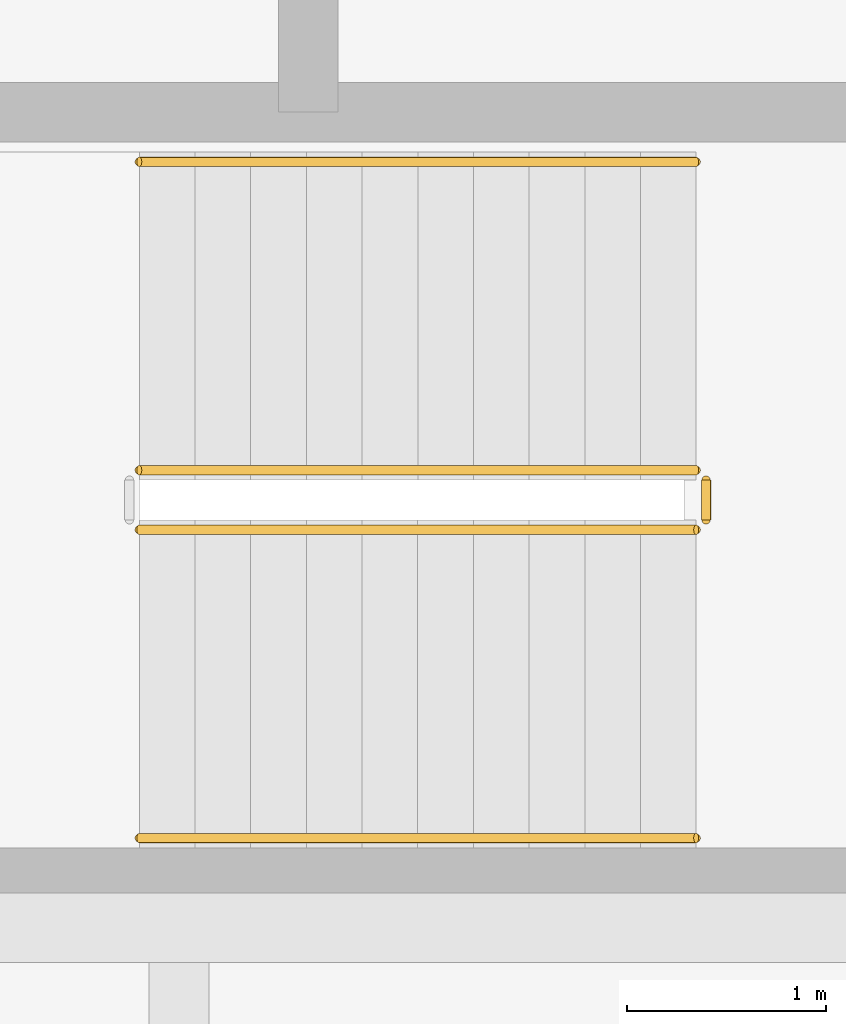
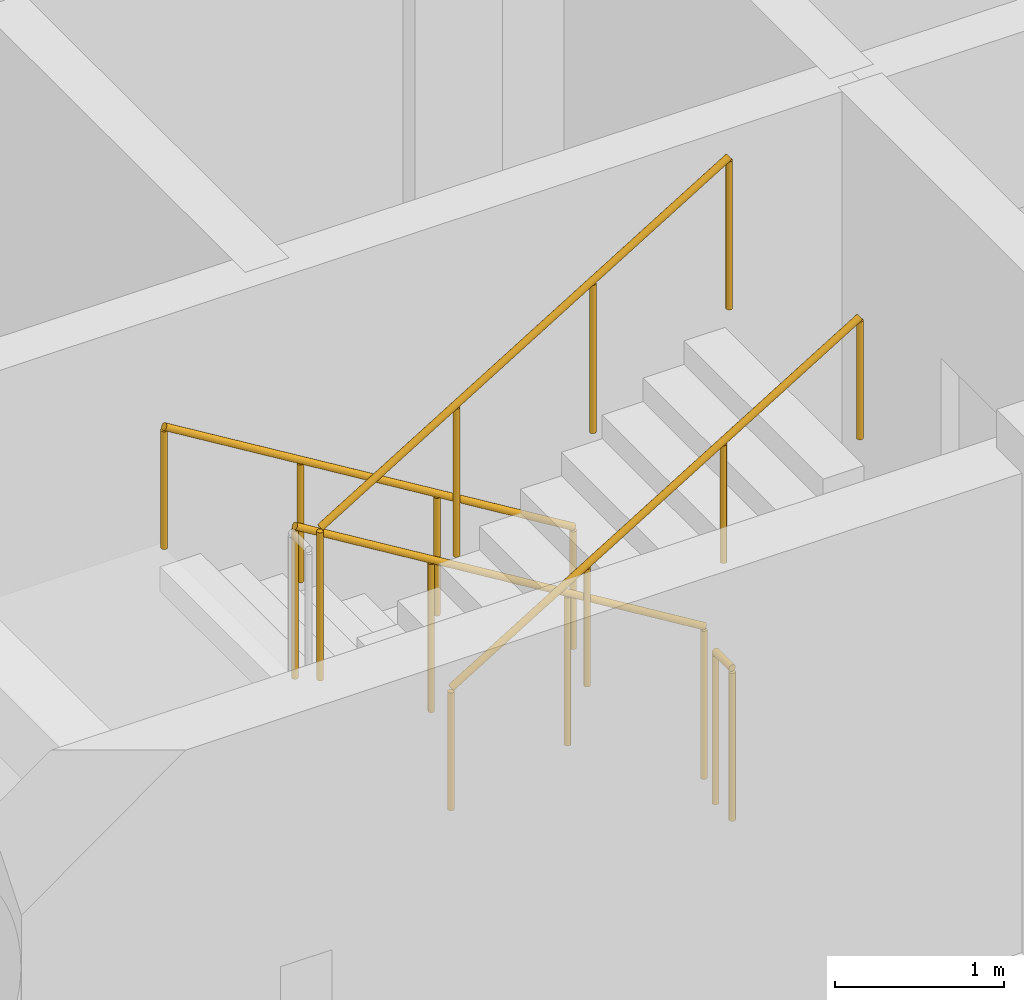
# One storey, part 39 of 43: 5 railings.
"""IFC4 building model written with IfcOpenShell, lengths in metres."""

from ifc_helpers import new_model, si_unit, direction, frame, origin, origin_2d, place, context, subcontext, project, spatial, circle, extrude, material, type_object, element, save


model = new_model("IFC4")

# Units and contexts
model_context = context("Model", 3, precision=1e-05, world=origin(), true_north=direction((0.0, 1.0)))
body_context = subcontext(model_context, "Body", "Model", "MODEL_VIEW")
ifc_project = project(units=[si_unit("LENGTHUNIT", "METRE"), si_unit("AREAUNIT", "SQUARE_METRE"), si_unit("VOLUMEUNIT", "CUBIC_METRE"), si_unit("PLANEANGLEUNIT", "RADIAN"), si_unit("MASSUNIT", "GRAM", prefix="KILO")], contexts=[model_context])

# Site, building, storey
site_placement = place(None, origin())
site = spatial("IfcSite", under=ifc_project, at=site_placement, CompositionType="ELEMENT")
building_placement = place(site_placement, origin())
building = spatial("IfcBuilding", under=site, at=building_placement, Name="Dalvernix Boulevard General Hospital", CompositionType="ELEMENT")
storey_placement = place(building_placement, frame((0.0, 0.0, 14.10009765625)))
storey = spatial("IfcBuildingStorey", under=building, at=storey_placement, Name="L03", CompositionType="ELEMENT", Elevation=14.10009765625)

# Railings
ifc_material_1 = material(Name="Brushed stainless steel balustrade", Category="steel")
railing_type_1 = type_object("IfcRailingType", Name="RL-GR-INT1", PredefinedType="BALUSTRADE", material=ifc_material_1)
railing_1_placement = place(storey_placement, frame((103.85009765625, 111.800048828125, 0.17041015625)))
element("IfcRailing", 1, at=railing_1_placement, inside=storey, type_object=railing_type_1, Name="L03 ST-04 stair guard 1", PredefinedType="BALUSTRADE", context=body_context, shape_type="SweptSolid", body=[
    extrude(circle(Radius=0.02392578125, at=origin_2d()), frame((0.0, 0.0, 1.09619140625), z_axis=(-0.854169791009, 0.0, 0.51999420009), x_axis=(0.0, -1.0, 0.0)), (0.0, 0.0, 1.0), 3.278076171875),
    extrude(circle(Radius=0.02099609375, at=origin_2d()), origin(), (0.0, 0.0, 1.0), 1.072021484375),
    extrude(circle(Radius=0.02099609375, at=origin_2d()), frame((-0.933349609375, 0.0, 0.568115234375)), (0.0, 0.0, 1.0), 1.072021484375),
    extrude(circle(Radius=0.02099609375, at=origin_2d()), frame((-1.86669921875, 0.0, 1.136474609375)), (0.0, 0.0, 1.0), 1.072021484375),
    extrude(circle(Radius=0.02099609375, at=origin_2d()), frame((-2.800048828125, 0.0, 1.70458984375)), (0.0, 0.0, 1.0), 1.072021484375),
])
railing_2_placement = place(storey_placement, frame((101.050048828125, 111.5, 2.04541015625)))
element("IfcRailing", 2, at=railing_2_placement, inside=storey, type_object=railing_type_1, Name="L03 ST-04 stair guard 3", PredefinedType="BALUSTRADE", context=body_context, shape_type="SweptSolid", body=[
    extrude(circle(Radius=0.02392578125, at=origin_2d()), frame((0.0, 0.0, 1.09619140625), z_axis=(0.854169791009, 0.0, 0.51999420009), x_axis=(0.0, 1.0, 0.0)), (0.0, 0.0, 1.0), 3.278076171875),
    extrude(circle(Radius=0.02099609375, at=origin_2d()), origin(), (0.0, 0.0, 1.0), 1.072021484375),
    extrude(circle(Radius=0.02099609375, at=origin_2d()), frame((0.933349609375, 0.0, 0.568115234375)), (0.0, 0.0, 1.0), 1.072021484375),
    extrude(circle(Radius=0.02099609375, at=origin_2d()), frame((1.86669921875, 0.0, 1.136474609375)), (0.0, 0.0, 1.0), 1.072021484375),
    extrude(circle(Radius=0.02099609375, at=origin_2d()), frame((2.800048828125, 0.0, 1.70458984375)), (0.0, 0.0, 1.0), 1.072021484375),
])
railing_3_placement = place(storey_placement, frame((103.89990234375, 111.75, 0.0)))
element("IfcRailing", 3, at=railing_3_placement, inside=storey, type_object=railing_type_1, Name="L03 ST-04 stair guard 4", PredefinedType="BALUSTRADE", context=body_context, shape_type="SweptSolid", body=[
    extrude(circle(Radius=0.02392578125, at=origin_2d()), frame((0.0, 0.0, 1.09619140625), z_axis=(0.0, -1.0, 0.0), x_axis=(1.0, 0.0, 0.0)), (0.0, 0.0, 1.0), 0.199951171875),
    extrude(circle(Radius=0.02099609375, at=origin_2d()), origin(), (0.0, 0.0, 1.0), 1.072021484375),
    extrude(circle(Radius=0.02099609375, at=origin_2d()), frame((0.0, -0.199951171875, 0.0)), (0.0, 0.0, 1.0), 1.072021484375),
])
ifc_material_2 = material(Name="Brushed stainless steel wall handrail", Category="steel")
railing_type_2 = type_object("IfcRailingType", Name="RL-HR-INT1", PredefinedType="HANDRAIL", material=ifc_material_2)
railing_4_placement = place(storey_placement, frame((103.85009765625, 113.35009765625, 0.17041015625)))
element("IfcRailing", 4, at=railing_4_placement, inside=storey, type_object=railing_type_2, Name="L03 ST-04 stair handrail 1", PredefinedType="HANDRAIL", context=body_context, shape_type="SweptSolid", body=[
    extrude(circle(Radius=0.02392578125, at=origin_2d()), frame((0.0, 0.0, 0.8759765625), z_axis=(-0.854169791009, 0.0, 0.51999420009), x_axis=(0.0, -1.0, 0.0)), (0.0, 0.0, 1.0), 3.278076171875),
    extrude(circle(Radius=0.02099609375, at=origin_2d()), origin(), (0.0, 0.0, 1.0), 0.851806640625),
    extrude(circle(Radius=0.02099609375, at=origin_2d()), frame((-0.933349609375, 0.0, 0.568115234375)), (0.0, 0.0, 1.0), 0.851806640625),
    extrude(circle(Radius=0.02099609375, at=origin_2d()), frame((-1.86669921875, 0.0, 1.136474609375)), (0.0, 0.0, 1.0), 0.851806640625),
    extrude(circle(Radius=0.02099609375, at=origin_2d()), frame((-2.800048828125, 0.0, 1.70458984375)), (0.0, 0.0, 1.0), 0.851806640625),
])
railing_5_placement = place(storey_placement, frame((101.050048828125, 109.949951171875, 2.04541015625)))
element("IfcRailing", 5, at=railing_5_placement, inside=storey, type_object=railing_type_2, Name="L03 ST-04 stair handrail 2", PredefinedType="HANDRAIL", context=body_context, shape_type="SweptSolid", body=[
    extrude(circle(Radius=0.02392578125, at=origin_2d()), frame((0.0, 0.0, 0.8759765625), z_axis=(0.854169791009, 0.0, 0.51999420009), x_axis=(0.0, 1.0, 0.0)), (0.0, 0.0, 1.0), 3.278076171875),
    extrude(circle(Radius=0.02099609375, at=origin_2d()), origin(), (0.0, 0.0, 1.0), 0.851806640625),
    extrude(circle(Radius=0.02099609375, at=origin_2d()), frame((0.933349609375, 0.0, 0.568115234375)), (0.0, 0.0, 1.0), 0.851806640625),
    extrude(circle(Radius=0.02099609375, at=origin_2d()), frame((1.86669921875, 0.0, 1.136474609375)), (0.0, 0.0, 1.0), 0.851806640625),
    extrude(circle(Radius=0.02099609375, at=origin_2d()), frame((2.800048828125, 0.0, 1.70458984375)), (0.0, 0.0, 1.0), 0.851806640625),
])

save(model, "model.ifc")
